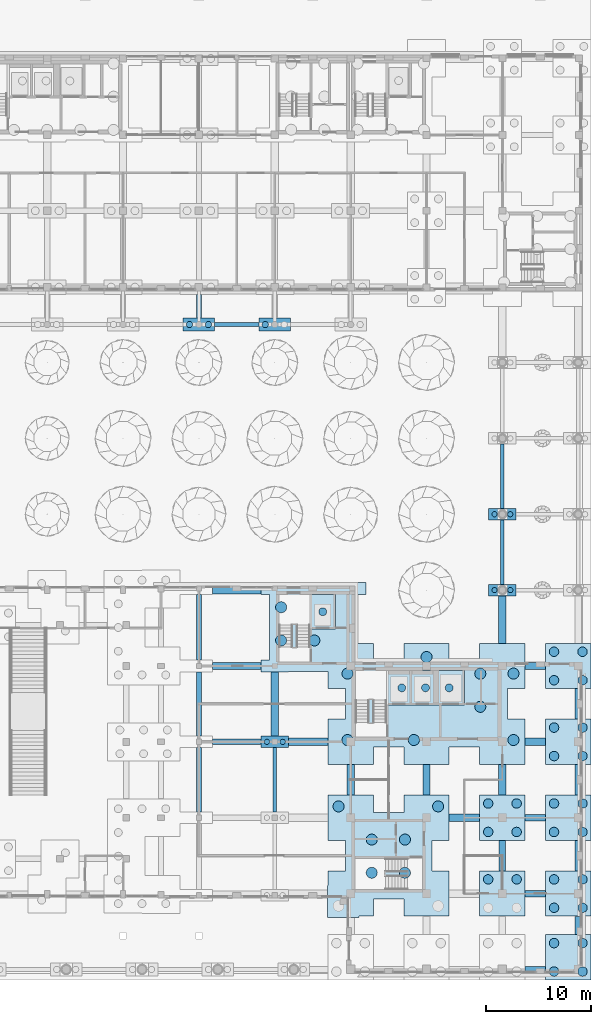
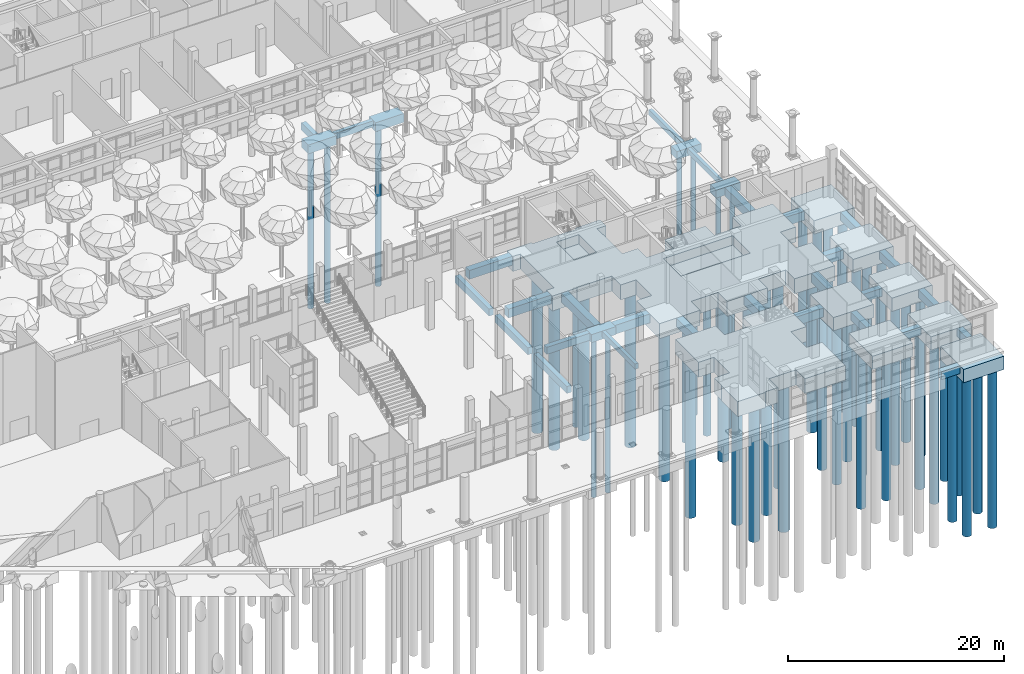
# One storey, part 4 of 80: 56 piles, 44 footings.
"""IFC4 building model written with IfcOpenShell, lengths in metres."""

from ifc_helpers import new_model, si_unit, direction, frame, origin, origin_2d, place, context, subcontext, project, spatial, polyline, rectangle, circle, outline, extrude, material, material_profile, profile_set, type_object, element, save


model = new_model("IFC4")

# Units and contexts
model_context = context("Model", 3, precision=1e-05, world=origin(), true_north=direction((0.0, 1.0)))
body_context = subcontext(model_context, "Body", "Model", "MODEL_VIEW")
ifc_project = project(units=[si_unit("LENGTHUNIT", "METRE"), si_unit("AREAUNIT", "SQUARE_METRE"), si_unit("VOLUMEUNIT", "CUBIC_METRE"), si_unit("PLANEANGLEUNIT", "RADIAN"), si_unit("MASSUNIT", "GRAM", prefix="KILO")], contexts=[model_context])

# Site, building, storey
site_placement = place(None, origin())
site = spatial("IfcSite", under=ifc_project, at=site_placement, CompositionType="ELEMENT")
building_placement = place(site_placement, origin())
building = spatial("IfcBuilding", under=site, at=building_placement, Name="Ussher Court Research Institute", CompositionType="ELEMENT")
storey_placement = place(building_placement, origin())
storey = spatial("IfcBuildingStorey", under=building, at=storey_placement, Name="L00", CompositionType="ELEMENT", Elevation=0.0)

# Piles
ifc_material_1 = material(Name="Concrete C35/45", Category="concrete")
ifc_material_profile_1 = material_profile(ifc_material_1, circle(Radius=0.52490234375, at=origin_2d()), Name="RC D1050")
ifc_profile_set_1 = profile_set([ifc_material_profile_1], Name="Concrete C35/45")
pile_type_1 = type_object("IfcPileType", Name="Bored pile D1050", PredefinedType="BORED", material=ifc_profile_set_1)
for number, where, z_axis, x_axis, name in (
    (1, (75.60009765625, 35.22509765625, -2.10009765625), (0.0, 0.0, -1.0), (1.0, 0.0, 0.0), "P5 088-01"),
    (2, (75.60009765625, 38.375, -2.10009765625), (0.0, 0.0, -1.0), (1.0, 0.0, 0.0), "P5 088-02"),
    (3, (78.75, 35.22509765625, -2.10009765625), (0.0, 0.0, -1.0), (1.0, 0.0, 0.0), "P5 088-03"),
    (4, (81.89990234375, 25.77490234375, -2.10009765625), (0.0, 0.0, -1.0), (1.0, 0.0, 0.0), "P5 088-04"),
    (5, (81.89990234375, 32.074951171875, -2.10009765625), (0.0, 0.0, -1.0), (1.0, 0.0, 0.0), "P5 088-05"),
    (6, (88.199951171875, 25.77490234375, -2.10009765625), (0.0, 0.0, -1.0), (1.0, 0.0, 0.0), "P5 088-06"),
    (7, (94.5, 28.925048828125, -2.10009765625), (0.0, 0.0, -1.0), (1.0, 0.0, 0.0), "P5 088-07"),
    (8, (94.5, 32.074951171875, -2.10009765625), (0.0, 0.0, -1.0), (1.0, 0.0, 0.0), "P5 088-08"),
    (9, (97.64990234375, 25.77490234375, -2.10009765625), (0.0, 0.0, -1.0), (1.0, 0.0, 0.0), "P5 088-09"),
    (10, (97.64990234375, 32.074951171875, -2.10009765625), (0.0, 0.0, -1.0), (1.0, 0.0, 0.0), "P5 088-10"),
    (11, (89.39990234375, 33.64990234375, -2.10009765625), (0.0, 0.0, -1.0), (1.0, 0.0, 0.0), "P5 088-11"),
    (12, (81.050048828125, 19.47509765625, -2.10009765625), (0.0, 0.0, -1.0), (1.0, 0.0, 0.0), "P5 091-02"),
    (13, (84.199951171875, 13.175048828125, -2.10009765625), (0.0, 0.0, -1.0), (1.0, 0.0, 0.0), "P5 091-03"),
    (14, (84.199951171875, 16.324951171875, -2.10009765625), (0.0, 0.0, -1.0), (1.0, 0.0, 0.0), "P5 091-04"),
    (15, (87.35009765625, 13.175048828125, -2.10009765625), (0.0, 0.0, -1.0), (1.0, 0.0, 0.0), "P5 091-05"),
    (16, (87.35009765625, 16.324951171875, -2.10009765625), (0.0, 0.0, -1.0), (1.0, 0.0, 0.0), "P5 091-06"),
    (17, (90.5, 19.47509765625, -2.10009765625), (0.0, 0.0, -1.0), (1.0, 0.0, 0.0), "P5 091-08"),
):
    element("IfcPile", number, at=place(storey_placement, frame(where, z_axis=z_axis, x_axis=x_axis)), inside=storey, type_object=pile_type_1, Name=name, PredefinedType="BORED", context=body_context, shape_type="SweptSolid", body=[
        extrude(circle(Radius=0.52490234375, at=origin_2d()), origin(), (0.0, 0.0, 1.0), 18.0),
    ])
ifc_material_2 = material(Name="Concrete C35/45", Category="concrete")
ifc_material_profile_2 = material_profile(ifc_material_2, circle(Radius=0.25, at=origin_2d()), Name="RC D500")
ifc_profile_set_2 = profile_set([ifc_material_profile_2], Name="Concrete C35/45")
pile_type_2 = type_object("IfcPileType", Name="Bored pile D500", PredefinedType="BORED", material=ifc_profile_set_2)
for number, where, z_axis, x_axis, name in (
    (18, (74.25, 25.60009765625, -1.300048828125), (0.0, 0.0, -1.0), (1.0, 0.0, 0.0), "P4 089-01"),
    (19, (75.75, 25.60009765625, -1.300048828125), (0.0, 0.0, -1.0), (1.0, 0.0, 0.0), "P4 089-02"),
    (20, (95.85009765625, 40.0, -1.300048828125), (0.0, 0.0, -1.0), (1.0, 0.0, 0.0), "P4 105-01"),
    (21, (97.35009765625, 40.0, -1.300048828125), (0.0, 0.0, -1.0), (1.0, 0.0, 0.0), "P4 105-02"),
    (22, (95.85009765625, 47.199951171875, -1.300048828125), (0.0, 0.0, -1.0), (1.0, 0.0, 0.0), "P4 106-01"),
    (23, (97.35009765625, 47.199951171875, -1.300048828125), (0.0, 0.0, -1.0), (1.0, 0.0, 0.0), "P4 106-02"),
):
    element("IfcPile", number, at=place(storey_placement, frame(where, z_axis=z_axis, x_axis=x_axis)), inside=storey, type_object=pile_type_2, Name=name, PredefinedType="BORED", context=body_context, shape_type="SweptSolid", body=[
        extrude(circle(Radius=0.25, at=origin_2d()), origin(), (0.0, 0.0, 1.0), 18.0),
    ])
ifc_material_3 = material(Name="Concrete C35/45", Category="concrete")
ifc_material_profile_3 = material_profile(ifc_material_3, circle(Radius=0.300048828125, at=origin_2d()), Name="RC D600")
ifc_profile_set_3 = profile_set([ifc_material_profile_3], Name="Concrete C35/45")
pile_type_3 = type_object("IfcPileType", Name="Bored pile D600", PredefinedType="BORED", material=ifc_profile_set_3)
for number, where, z_axis, x_axis, name in (
    (24, (66.89990234375, 65.199951171875, -1.39990234375), (0.0, 0.0, -1.0), (1.0, 0.0, 0.0), "P2 080-01"),
    (25, (68.699951171875, 65.199951171875, -1.39990234375), (0.0, 0.0, -1.0), (1.0, 0.0, 0.0), "P2 080-02"),
    (26, (74.10009765625, 65.199951171875, -1.39990234375), (0.0, 0.0, -1.0), (1.0, 0.0, 0.0), "P2 085-01"),
):
    element("IfcPile", number, at=place(storey_placement, frame(where, z_axis=z_axis, x_axis=x_axis)), inside=storey, type_object=pile_type_3, Name=name, PredefinedType="BORED", context=body_context, shape_type="SweptSolid", body=[
        extrude(circle(Radius=0.300048828125, at=origin_2d()), origin(), (0.0, 0.0, 1.0), 18.0),
    ])
ifc_material_4 = material(Name="Concrete C35/45", Category="concrete")
ifc_material_profile_4 = material_profile(ifc_material_4, circle(Radius=0.375, at=origin_2d()), Name="RC D750")
ifc_profile_set_4 = profile_set([ifc_material_profile_4], Name="Concrete C35/45")
pile_type_4 = type_object("IfcPileType", Name="Bored pile D750", PredefinedType="BORED", material=ifc_profile_set_4)
for number, where, z_axis, x_axis, name in (
    (27, (79.550048828125, 37.949951171875, -2.64990234375), (0.0, 0.0, -1.0), (1.0, 0.0, 0.0), "P1 005-01"),
    (28, (87.050048828125, 30.72509765625, -2.64990234375), (0.0, 0.0, -1.0), (1.0, 0.0, 0.0), "P1 007-01"),
    (29, (89.300048828125, 30.72509765625, -2.64990234375), (0.0, 0.0, -1.0), (1.0, 0.0, 0.0), "P1 007-02"),
    (30, (91.550048828125, 30.72509765625, -2.64990234375), (0.0, 0.0, -1.0), (1.0, 0.0, 0.0), "P1 007-03"),
):
    element("IfcPile", number, at=place(storey_placement, frame(where, z_axis=z_axis, x_axis=x_axis)), inside=storey, type_object=pile_type_4, Name=name, PredefinedType="BORED", context=body_context, shape_type="SweptSolid", body=[
        extrude(circle(Radius=0.375, at=origin_2d()), origin(), (0.0, 0.0, 1.0), 18.0),
    ])
ifc_material_5 = material(Name="Concrete C35/45", Category="concrete")
ifc_material_profile_5 = material_profile(ifc_material_5, circle(Radius=0.449951171875, at=origin_2d()), Name="RC D900")
ifc_profile_set_5 = profile_set([ifc_material_profile_5], Name="Concrete C35/45")
pile_type_5 = type_object("IfcPileType", Name="Bored pile D900", PredefinedType="BORED", material=ifc_profile_set_5)
for number, where, z_axis, x_axis, name in (
    (31, (95.25, 12.550048828125, -1.89990234375), (0.0, 0.0, -1.0), (1.0, 0.0, 0.0), "P3 100-02"),
    (32, (97.949951171875, 12.550048828125, -1.89990234375), (0.0, 0.0, -1.0), (1.0, 0.0, 0.0), "P3 100-04"),
    (33, (95.25, 17.050048828125, -1.89990234375), (0.0, 0.0, -1.0), (1.0, 0.0, 0.0), "P3 101-01"),
    (34, (95.25, 19.75, -1.89990234375), (0.0, 0.0, -1.0), (1.0, 0.0, 0.0), "P3 101-02"),
    (35, (97.949951171875, 17.050048828125, -1.89990234375), (0.0, 0.0, -1.0), (1.0, 0.0, 0.0), "P3 101-03"),
    (36, (97.949951171875, 19.75, -1.89990234375), (0.0, 0.0, -1.0), (1.0, 0.0, 0.0), "P3 101-04"),
    (37, (101.5, 3.800048828125, -1.89990234375), (0.0, 0.0, -1.0), (1.0, 0.0, 0.0), "P3 109-01"),
    (38, (101.5, 6.5, -1.89990234375), (0.0, 0.0, -1.0), (1.0, 0.0, 0.0), "P3 109-02"),
    (39, (104.199951171875, 3.800048828125, -1.89990234375), (0.0, 0.0, -1.0), (1.0, 0.0, 0.0), "P3 109-03"),
    (40, (104.199951171875, 6.5, -1.89990234375), (0.0, 0.0, -1.0), (1.0, 0.0, 0.0), "P3 109-04"),
    (41, (101.5, 9.85009765625, -1.89990234375), (0.0, 0.0, -1.0), (1.0, 0.0, 0.0), "P3 110-01"),
    (42, (101.5, 12.550048828125, -1.89990234375), (0.0, 0.0, -1.0), (1.0, 0.0, 0.0), "P3 110-02"),
    (43, (104.199951171875, 9.85009765625, -1.89990234375), (0.0, 0.0, -1.0), (1.0, 0.0, 0.0), "P3 110-03"),
    (44, (104.199951171875, 12.550048828125, -1.89990234375), (0.0, 0.0, -1.0), (1.0, 0.0, 0.0), "P3 110-04"),
    (45, (101.5, 17.050048828125, -1.89990234375), (0.0, 0.0, -1.0), (1.0, 0.0, 0.0), "P3 111-01"),
    (46, (101.5, 19.75, -1.89990234375), (0.0, 0.0, -1.0), (1.0, 0.0, 0.0), "P3 111-02"),
    (47, (104.199951171875, 17.050048828125, -1.89990234375), (0.0, 0.0, -1.0), (1.0, 0.0, 0.0), "P3 111-03"),
    (48, (104.199951171875, 19.75, -1.89990234375), (0.0, 0.0, -1.0), (1.0, 0.0, 0.0), "P3 111-04"),
    (49, (101.5, 24.25, -1.89990234375), (0.0, 0.0, -1.0), (1.0, 0.0, 0.0), "P3 112-01"),
    (50, (101.5, 26.949951171875, -1.89990234375), (0.0, 0.0, -1.0), (1.0, 0.0, 0.0), "P3 112-02"),
    (51, (104.199951171875, 24.25, -1.89990234375), (0.0, 0.0, -1.0), (1.0, 0.0, 0.0), "P3 112-03"),
    (52, (104.199951171875, 26.949951171875, -1.89990234375), (0.0, 0.0, -1.0), (1.0, 0.0, 0.0), "P3 112-04"),
    (53, (101.5, 31.449951171875, -1.89990234375), (0.0, 0.0, -1.0), (1.0, 0.0, 0.0), "P3 113-01"),
    (54, (101.5, 34.14990234375, -1.89990234375), (0.0, 0.0, -1.0), (1.0, 0.0, 0.0), "P3 113-02"),
    (55, (104.199951171875, 31.449951171875, -1.89990234375), (0.0, 0.0, -1.0), (1.0, 0.0, 0.0), "P3 113-03"),
    (56, (104.199951171875, 34.14990234375, -1.89990234375), (0.0, 0.0, -1.0), (1.0, 0.0, 0.0), "P3 113-04"),
):
    element("IfcPile", number, at=place(storey_placement, frame(where, z_axis=z_axis, x_axis=x_axis)), inside=storey, type_object=pile_type_5, Name=name, PredefinedType="BORED", context=body_context, shape_type="SweptSolid", body=[
        extrude(circle(Radius=0.449951171875, at=origin_2d()), origin(), (0.0, 0.0, 1.0), 18.0),
    ])

# Footings
ifc_material_6 = material(Name="Concrete C35/45", Category="concrete")
footing_type_1 = type_object("IfcFootingType", Name="Core raft 11600x11550x1700", PredefinedType="PILE_CAP", material=ifc_material_6)
footing_1_placement = place(storey_placement, frame((0.0, 0.0, -2.25)))
element("IfcFooting", 57, at=footing_1_placement, inside=storey, type_object=footing_type_1, Name="CR17 091", PredefinedType="PILE_CAP", context=body_context, shape_type="SweptSolid", body=[
    extrude(outline(polyline([(80.0, 11.949951171875), (80.0, 8.949951171875), (83.0, 8.949951171875), (83.0, 9.050048828125), (84.35009765625, 9.050048828125), (84.35009765625, 10.699951171875), (87.25, 10.699951171875), (87.25, 9.050048828125), (91.550048828125, 9.050048828125), (91.550048828125, 13.35009765625), (89.89990234375, 13.35009765625), (89.89990234375, 16.25), (91.550048828125, 16.25), (91.550048828125, 20.550048828125), (87.25, 20.550048828125), (87.25, 18.89990234375), (84.35009765625, 18.89990234375), (84.35009765625, 20.550048828125), (80.050048828125, 20.550048828125), (80.050048828125, 16.25), (81.699951171875, 16.25), (81.699951171875, 13.35009765625), (80.050048828125, 13.35009765625), (80.050048828125, 11.949951171875), (80.0, 11.949951171875)])), origin(), (0.0, 0.0, 1.0), 1.699951171875),
])
ifc_material_7 = material(Name="Concrete C35/45", Category="concrete")
footing_type_2 = type_object("IfcFootingType", Name="Core raft 25050x17250x1700", PredefinedType="PILE_CAP", material=ifc_material_7)
footing_2_placement = place(storey_placement, frame((0.0, 0.0, -2.25)))
element("IfcFooting", 58, at=footing_2_placement, inside=storey, type_object=footing_type_2, Name="CR22 088", PredefinedType="PILE_CAP", context=body_context, shape_type="SweptSolid", body=[
    extrude(outline(polyline([(73.699951171875, 33.35009765625), (73.699951171875, 32.25), (76.300048828125, 32.25), (76.300048828125, 32.300048828125), (80.050048828125, 32.300048828125), (80.050048828125, 30.64990234375), (81.699951171875, 30.64990234375), (81.699951171875, 27.75), (80.050048828125, 27.75), (80.050048828125, 23.449951171875), (84.35009765625, 23.449951171875), (84.35009765625, 25.10009765625), (87.25, 25.10009765625), (87.25, 23.449951171875), (91.550048828125, 23.449951171875), (91.550048828125, 25.10009765625), (94.449951171875, 25.10009765625), (94.449951171875, 23.449951171875), (98.75, 23.449951171875), (98.75, 27.75), (97.10009765625, 27.75), (97.10009765625, 30.64990234375), (98.75, 30.64990234375), (98.75, 34.949951171875), (94.449951171875, 34.949951171875), (94.449951171875, 33.300048828125), (91.550048828125, 33.300048828125), (91.550048828125, 34.949951171875), (87.25, 34.949951171875), (87.25, 33.300048828125), (84.35009765625, 33.300048828125), (84.35009765625, 34.949951171875), (82.699951171875, 34.949951171875), (82.699951171875, 39.60009765625), (83.64990234375, 39.60009765625), (83.64990234375, 40.699951171875), (81.050048828125, 40.699951171875), (81.050048828125, 40.5), (76.300048828125, 40.5), (76.300048828125, 40.699951171875), (73.699951171875, 40.699951171875), (73.699951171875, 39.60009765625), (74.5, 39.60009765625), (74.5, 33.35009765625), (73.699951171875, 33.35009765625)]), holes=[polyline([(93.0, 29.10009765625), (85.60009765625, 29.10009765625), (85.60009765625, 32.35009765625), (93.0, 32.35009765625), (93.0, 29.10009765625)]), polyline([(80.75, 36.300048828125), (78.35009765625, 36.300048828125), (78.35009765625, 39.60009765625), (80.75, 39.60009765625), (80.75, 36.300048828125)])]), origin(), (0.0, 0.0, 1.0), 1.699951171875),
])
ifc_material_8 = material(Name="Concrete C35/45", Category="concrete")
footing_type_3 = type_object("IfcFootingType", Name="Core raft 3300x2400x1200", PredefinedType="PILE_CAP", material=ifc_material_8)
footing_3_placement = place(storey_placement, frame((0.0, 0.0, -2.800048828125)))
element("IfcFooting", 59, at=footing_3_placement, inside=storey, type_object=footing_type_3, Name="CR3 005", PredefinedType="PILE_CAP", context=body_context, shape_type="SweptSolid", body=[
    extrude(outline(polyline([(80.75, 36.300048828125), (80.75, 39.60009765625), (78.35009765625, 39.60009765625), (78.35009765625, 36.300048828125), (80.75, 36.300048828125)])), origin(), (0.0, 0.0, 1.0), 1.199951171875),
])
ifc_material_9 = material(Name="Concrete C35/45", Category="concrete")
footing_type_4 = type_object("IfcFootingType", Name="Core raft 7400x3250x1200", PredefinedType="PILE_CAP", material=ifc_material_9)
footing_4_placement = place(storey_placement, frame((0.0, 0.0, -2.800048828125)))
element("IfcFooting", 60, at=footing_4_placement, inside=storey, type_object=footing_type_4, Name="CR10 007", PredefinedType="PILE_CAP", context=body_context, shape_type="SweptSolid", body=[
    extrude(outline(polyline([(93.0, 29.10009765625), (93.0, 32.35009765625), (85.60009765625, 32.35009765625), (85.60009765625, 29.10009765625), (93.0, 29.10009765625)])), origin(), (0.0, 0.0, 1.0), 1.199951171875),
])
ifc_material_10 = material(Name="Concrete C35/45", Category="concrete")
footing_type_5 = type_object("IfcFootingType", Name="Pile cap 2600x1100x900", PredefinedType="PILE_CAP", material=ifc_material_10)
footing_5_placement = place(storey_placement, frame((0.0, 0.0, -1.449951171875)))
element("IfcFooting", 61, at=footing_5_placement, inside=storey, type_object=footing_type_5, Name="PC1 089", PredefinedType="PILE_CAP", context=body_context, shape_type="SweptSolid", body=[
    extrude(outline(polyline([(73.699951171875, 25.050048828125), (76.300048828125, 25.050048828125), (76.300048828125, 26.14990234375), (73.699951171875, 26.14990234375), (73.699951171875, 25.050048828125)])), origin(), (0.0, 0.0, 1.0), 0.89990234375),
])
footing_6_placement = place(storey_placement, frame((0.0, 0.0, -1.449951171875)))
element("IfcFooting", 62, at=footing_6_placement, inside=storey, type_object=footing_type_5, Name="PC1 105", PredefinedType="PILE_CAP", context=body_context, shape_type="SweptSolid", body=[
    extrude(outline(polyline([(95.300048828125, 39.449951171875), (97.89990234375, 39.449951171875), (97.89990234375, 40.550048828125), (95.300048828125, 40.550048828125), (95.300048828125, 39.449951171875)])), origin(), (0.0, 0.0, 1.0), 0.89990234375),
])
footing_7_placement = place(storey_placement, frame((0.0, 0.0, -1.449951171875)))
element("IfcFooting", 63, at=footing_7_placement, inside=storey, type_object=footing_type_5, Name="PC1 106", PredefinedType="PILE_CAP", context=body_context, shape_type="SweptSolid", body=[
    extrude(outline(polyline([(95.300048828125, 46.64990234375), (97.89990234375, 46.64990234375), (97.89990234375, 47.75), (95.300048828125, 47.75), (95.300048828125, 46.64990234375)])), origin(), (0.0, 0.0, 1.0), 0.89990234375),
])
ifc_material_11 = material(Name="Concrete C35/45", Category="concrete")
footing_type_6 = type_object("IfcFootingType", Name="Pile cap 3000x1200x1000", PredefinedType="PILE_CAP", material=ifc_material_11)
footing_8_placement = place(storey_placement, frame((0.0, 0.0, -1.550048828125)))
element("IfcFooting", 64, at=footing_8_placement, inside=storey, type_object=footing_type_6, Name="PC2 080", PredefinedType="PILE_CAP", context=body_context, shape_type="SweptSolid", body=[
    extrude(outline(polyline([(66.300048828125, 64.60009765625), (69.300048828125, 64.60009765625), (69.300048828125, 65.800048828125), (66.300048828125, 65.800048828125), (66.300048828125, 64.60009765625)])), origin(), (0.0, 0.0, 1.0), 1.0),
])
footing_9_placement = place(storey_placement, frame((0.0, 0.0, -1.550048828125)))
element("IfcFooting", 65, at=footing_9_placement, inside=storey, type_object=footing_type_6, Name="PC2 085", PredefinedType="PILE_CAP", context=body_context, shape_type="SweptSolid", body=[
    extrude(outline(polyline([(73.5, 64.60009765625), (76.5, 64.60009765625), (76.5, 65.800048828125), (73.5, 65.800048828125), (73.5, 64.60009765625)])), origin(), (0.0, 0.0, 1.0), 1.0),
])
ifc_material_12 = material(Name="Concrete C35/45", Category="concrete")
footing_type_7 = type_object("IfcFootingType", Name="Pile cap 4300x4300x1500", PredefinedType="PILE_CAP", material=ifc_material_12)
footing_10_placement = place(storey_placement, frame((0.0, 0.0, -2.050048828125)))
element("IfcFooting", 66, at=footing_10_placement, inside=storey, type_object=footing_type_7, Name="PC6 100", PredefinedType="PILE_CAP", context=body_context, shape_type="SweptSolid", body=[
    extrude(outline(polyline([(94.449951171875, 9.050048828125), (98.75, 9.050048828125), (98.75, 13.35009765625), (94.449951171875, 13.35009765625), (94.449951171875, 9.050048828125)])), origin(), (0.0, 0.0, 1.0), 1.5),
])
footing_11_placement = place(storey_placement, frame((0.0, 0.0, -2.050048828125)))
element("IfcFooting", 67, at=footing_11_placement, inside=storey, type_object=footing_type_7, Name="PC6 101", PredefinedType="PILE_CAP", context=body_context, shape_type="SweptSolid", body=[
    extrude(outline(polyline([(94.449951171875, 16.25), (98.75, 16.25), (98.75, 20.550048828125), (94.449951171875, 20.550048828125), (94.449951171875, 16.25)])), origin(), (0.0, 0.0, 1.0), 1.5),
])
footing_12_placement = place(storey_placement, frame((0.0, 0.0, -2.050048828125)))
element("IfcFooting", 68, at=footing_12_placement, inside=storey, type_object=footing_type_7, Name="PC6 109", PredefinedType="PILE_CAP", context=body_context, shape_type="SweptSolid", body=[
    extrude(outline(polyline([(100.699951171875, 3.0), (105.0, 3.0), (105.0, 7.300048828125), (100.699951171875, 7.300048828125), (100.699951171875, 3.0)])), origin(), (0.0, 0.0, 1.0), 1.5),
])
footing_13_placement = place(storey_placement, frame((0.0, 0.0, -2.050048828125)))
element("IfcFooting", 69, at=footing_13_placement, inside=storey, type_object=footing_type_7, Name="PC6 110", PredefinedType="PILE_CAP", context=body_context, shape_type="SweptSolid", body=[
    extrude(outline(polyline([(100.699951171875, 9.050048828125), (105.0, 9.050048828125), (105.0, 13.35009765625), (100.699951171875, 13.35009765625), (100.699951171875, 9.050048828125)])), origin(), (0.0, 0.0, 1.0), 1.5),
])
footing_14_placement = place(storey_placement, frame((0.0, 0.0, -2.050048828125)))
element("IfcFooting", 70, at=footing_14_placement, inside=storey, type_object=footing_type_7, Name="PC6 111", PredefinedType="PILE_CAP", context=body_context, shape_type="SweptSolid", body=[
    extrude(outline(polyline([(100.699951171875, 16.25), (105.0, 16.25), (105.0, 20.550048828125), (100.699951171875, 20.550048828125), (100.699951171875, 16.25)])), origin(), (0.0, 0.0, 1.0), 1.5),
])
footing_15_placement = place(storey_placement, frame((0.0, 0.0, -2.050048828125)))
element("IfcFooting", 71, at=footing_15_placement, inside=storey, type_object=footing_type_7, Name="PC6 112", PredefinedType="PILE_CAP", context=body_context, shape_type="SweptSolid", body=[
    extrude(outline(polyline([(100.699951171875, 23.449951171875), (105.0, 23.449951171875), (105.0, 27.75), (100.699951171875, 27.75), (100.699951171875, 23.449951171875)])), origin(), (0.0, 0.0, 1.0), 1.5),
])
footing_16_placement = place(storey_placement, frame((0.0, 0.0, -2.050048828125)))
element("IfcFooting", 72, at=footing_16_placement, inside=storey, type_object=footing_type_7, Name="PC6 113", PredefinedType="PILE_CAP", context=body_context, shape_type="SweptSolid", body=[
    extrude(outline(polyline([(100.699951171875, 30.64990234375), (105.0, 30.64990234375), (105.0, 34.949951171875), (100.699951171875, 34.949951171875), (100.699951171875, 30.64990234375)])), origin(), (0.0, 0.0, 1.0), 1.5),
])
ifc_material_13 = material(Name="Concrete C35/45", Category="concrete")
ifc_material_profile_6 = material_profile(ifc_material_13, rectangle(XDim=0.35009765625, YDim=0.60009765625, at=origin_2d()), Name="RC 350x600")
ifc_profile_set_6 = profile_set([ifc_material_profile_6], Name="Concrete C35/45")
footing_type_8 = type_object("IfcFootingType", Name="RC 350x600 ground beam", PredefinedType="FOOTING_BEAM", material=ifc_profile_set_6)
footing_17_placement = place(storey_placement, frame((75.0, 18.950927734375, -0.85009765625), z_axis=(0.0, 1.0, 0.0), x_axis=(-1.0, 0.0, 0.0)))
element("IfcFooting", 73, at=footing_17_placement, inside=storey, type_object=footing_type_8, Name="GB4 181", PredefinedType="FOOTING_BEAM", context=body_context, shape_type="SweptSolid", body=[
    extrude(rectangle(XDim=0.35009765625, YDim=0.60009765625, at=origin_2d()), origin(), (0.0, 0.0, 1.0), 6.09814453125),
])
footing_18_placement = place(storey_placement, frame((96.60009765625, 40.551025390625, -0.85009765625), z_axis=(0.0, 1.0, 0.0), x_axis=(-1.0, 0.0, 0.0)))
element("IfcFooting", 74, at=footing_18_placement, inside=storey, type_object=footing_type_8, Name="GB4 199", PredefinedType="FOOTING_BEAM", context=body_context, shape_type="SweptSolid", body=[
    extrude(rectangle(XDim=0.35009765625, YDim=0.60009765625, at=origin_2d()), origin(), (0.0, 0.0, 1.0), 6.097900390625),
])
footing_19_placement = place(storey_placement, frame((96.60009765625, 47.7509765625, -0.85009765625), z_axis=(0.0, 1.0, 0.0), x_axis=(-1.0, 0.0, 0.0)))
element("IfcFooting", 75, at=footing_19_placement, inside=storey, type_object=footing_type_8, Name="GB4 200", PredefinedType="FOOTING_BEAM", context=body_context, shape_type="SweptSolid", body=[
    extrude(rectangle(XDim=0.35009765625, YDim=0.60009765625, at=origin_2d()), origin(), (0.0, 0.0, 1.0), 6.09814453125),
])
ifc_material_14 = material(Name="Concrete C35/45", Category="concrete")
ifc_material_profile_7 = material_profile(ifc_material_14, rectangle(XDim=0.39990234375, YDim=0.699951171875, at=origin_2d()), Name="RC 400x700")
ifc_profile_set_7 = profile_set([ifc_material_profile_7], Name="Concrete C35/45")
footing_type_9 = type_object("IfcFootingType", Name="RC 400x700 ground beam", PredefinedType="FOOTING_BEAM", material=ifc_profile_set_7)
footing_20_placement = place(storey_placement, frame((69.301025390625, 65.199951171875, -0.89990234375), z_axis=(1.0, 0.0, 0.0), x_axis=(0.0, 1.0, 0.0)))
element("IfcFooting", 76, at=footing_20_placement, inside=storey, type_object=footing_type_9, Name="GB2 069", PredefinedType="FOOTING_BEAM", context=body_context, shape_type="SweptSolid", body=[
    extrude(rectangle(XDim=0.39990234375, YDim=0.699951171875, at=origin_2d()), origin(), (0.0, 0.0, 1.0), 4.197998046875),
])
ifc_material_15 = material(Name="Concrete C35/45", Category="concrete")
ifc_material_profile_8 = material_profile(ifc_material_15, rectangle(XDim=0.5, YDim=0.800048828125, at=origin_2d()), Name="RC 500x800")
ifc_profile_set_8 = profile_set([ifc_material_profile_8], Name="Concrete C35/45")
footing_type_10 = type_object("IfcFootingType", Name="RC 500x800 ground beam", PredefinedType="FOOTING_BEAM", material=ifc_profile_set_8)
footing_21_placement = place(storey_placement, frame((69.10107421875, 25.60009765625, -0.949951171875), z_axis=(1.0, 0.0, 0.0), x_axis=(0.0, 1.0, 0.0)))
element("IfcFooting", 77, at=footing_21_placement, inside=storey, type_object=footing_type_10, Name="GB1 039", PredefinedType="FOOTING_BEAM", context=body_context, shape_type="SweptSolid", body=[
    extrude(rectangle(XDim=0.5, YDim=0.800048828125, at=origin_2d()), origin(), (0.0, 0.0, 1.0), 4.597900390625),
])
for number, where, z_axis, x_axis, name in (
    (78, (67.800048828125, 18.950927734375, -0.949951171875), (0.0, 1.0, 0.0), (-1.0, 0.0, 0.0), "GB1 173"),
    (79, (67.800048828125, 26.15087890625, -0.949951171875), (0.0, 1.0, 0.0), (-1.0, 0.0, 0.0), "GB1 174"),
):
    element("IfcFooting", number, at=place(storey_placement, frame(where, z_axis=z_axis, x_axis=x_axis)), inside=storey, type_object=footing_type_10, Name=name, PredefinedType="FOOTING_BEAM", context=body_context, shape_type="SweptSolid", body=[
        extrude(rectangle(XDim=0.5, YDim=0.800048828125, at=origin_2d()), origin(), (0.0, 0.0, 1.0), 6.09814453125),
    ])
footing_22_placement = place(storey_placement, frame((67.800048828125, 33.35107421875, -0.949951171875), z_axis=(0.0, 1.0, 0.0), x_axis=(-1.0, 0.0, 0.0)))
element("IfcFooting", 80, at=footing_22_placement, inside=storey, type_object=footing_type_10, Name="GB1 175", PredefinedType="FOOTING_BEAM", context=body_context, shape_type="SweptSolid", body=[
    extrude(rectangle(XDim=0.5, YDim=0.800048828125, at=origin_2d()), origin(), (0.0, 0.0, 1.0), 6.248046875),
])
footing_23_placement = place(storey_placement, frame((67.800048828125, 65.801025390625, -0.949951171875), z_axis=(0.0, 1.0, 0.0), x_axis=(-1.0, 0.0, 0.0)))
element("IfcFooting", 81, at=footing_23_placement, inside=storey, type_object=footing_type_10, Name="GB1 176", PredefinedType="FOOTING_BEAM", context=body_context, shape_type="SweptSolid", body=[
    extrude(rectangle(XDim=0.5, YDim=0.800048828125, at=origin_2d()), origin(), (0.0, 0.0, 1.0), 2.27294921875),
])
ifc_material_16 = material(Name="Concrete C35/45", Category="concrete")
ifc_material_profile_9 = material_profile(ifc_material_16, rectangle(XDim=0.60009765625, YDim=0.89990234375, at=origin_2d()), Name="RC 600x900")
ifc_profile_set_9 = profile_set([ifc_material_profile_9], Name="Concrete C35/45")
footing_type_11 = type_object("IfcFootingType", Name="RC 600x900 ground beam", PredefinedType="FOOTING_BEAM", material=ifc_profile_set_9)
for number, where, z_axis, x_axis, name in (
    (82, (98.7509765625, 4.0, -1.0), (1.0, 0.0, 0.0), (0.0, 1.0, 0.0), "GB3 013"),
    (83, (98.7509765625, 11.199951171875, -1.0), (1.0, 0.0, 0.0), (0.0, 1.0, 0.0), "GB3 024"),
    (84, (98.7509765625, 18.39990234375, -1.0), (1.0, 0.0, 0.0), (0.0, 1.0, 0.0), "GB3 036"),
):
    element("IfcFooting", number, at=place(storey_placement, frame(where, z_axis=z_axis, x_axis=x_axis)), inside=storey, type_object=footing_type_11, Name=name, PredefinedType="FOOTING_BEAM", context=body_context, shape_type="SweptSolid", body=[
        extrude(rectangle(XDim=0.60009765625, YDim=0.89990234375, at=origin_2d()), origin(), (0.0, 0.0, 1.0), 1.947998046875),
    ])
footing_24_placement = place(storey_placement, frame((96.60009765625, 13.35107421875, -1.0), z_axis=(0.0, 1.0, 0.0), x_axis=(-1.0, 0.0, 0.0)))
element("IfcFooting", 85, at=footing_24_placement, inside=storey, type_object=footing_type_11, Name="GB3 196", PredefinedType="FOOTING_BEAM", context=body_context, shape_type="SweptSolid", body=[
    extrude(rectangle(XDim=0.60009765625, YDim=0.89990234375, at=origin_2d()), origin(), (0.0, 0.0, 1.0), 2.89794921875),
])
footing_25_placement = place(storey_placement, frame((103.800048828125, 7.301025390625, -1.0), z_axis=(0.0, 1.0, 0.0), x_axis=(-1.0, 0.0, 0.0)))
element("IfcFooting", 86, at=footing_25_placement, inside=storey, type_object=footing_type_11, Name="GB3 205", PredefinedType="FOOTING_BEAM", context=body_context, shape_type="SweptSolid", body=[
    extrude(rectangle(XDim=0.60009765625, YDim=0.89990234375, at=origin_2d()), origin(), (0.0, 0.0, 1.0), 1.748046875),
])
for number, where, z_axis, x_axis, name in (
    (87, (103.800048828125, 13.35107421875, -1.0), (0.0, 1.0, 0.0), (-1.0, 0.0, 0.0), "GB3 206"),
    (88, (103.800048828125, 20.551025390625, -1.0), (0.0, 1.0, 0.0), (-1.0, 0.0, 0.0), "GB3 207"),
    (89, (103.800048828125, 27.7509765625, -1.0), (0.0, 1.0, 0.0), (-1.0, 0.0, 0.0), "GB3 208"),
):
    element("IfcFooting", number, at=place(storey_placement, frame(where, z_axis=z_axis, x_axis=x_axis)), inside=storey, type_object=footing_type_11, Name=name, PredefinedType="FOOTING_BEAM", context=body_context, shape_type="SweptSolid", body=[
        extrude(rectangle(XDim=0.60009765625, YDim=0.89990234375, at=origin_2d()), origin(), (0.0, 0.0, 1.0), 2.89794921875),
    ])
ifc_material_17 = material(Name="Concrete C35/45", Category="concrete")
ifc_material_profile_10 = material_profile(ifc_material_17, rectangle(XDim=0.699951171875, YDim=1.0, at=origin_2d()), Name="RC 700x1000")
ifc_profile_set_10 = profile_set([ifc_material_profile_10], Name="Concrete C35/45")
footing_type_12 = type_object("IfcFootingType", Name="RC 700x1000 ground beam", PredefinedType="FOOTING_BEAM", material=ifc_profile_set_10)
footing_26_placement = place(storey_placement, frame((91.551025390625, 18.39990234375, -1.050048828125), z_axis=(1.0, 0.0, 0.0), x_axis=(0.0, 1.0, 0.0)))
element("IfcFooting", 90, at=footing_26_placement, inside=storey, type_object=footing_type_12, Name="GB5 035", PredefinedType="FOOTING_BEAM", context=body_context, shape_type="SweptSolid", body=[
    extrude(rectangle(XDim=0.699951171875, YDim=1.0, at=origin_2d()), origin(), (0.0, 0.0, 1.0), 2.89794921875),
])
footing_27_placement = place(storey_placement, frame((76.301025390625, 25.60009765625, -1.050048828125), z_axis=(1.0, 0.0, 0.0), x_axis=(0.0, 1.0, 0.0)))
element("IfcFooting", 91, at=footing_27_placement, inside=storey, type_object=footing_type_12, Name="GB5 040", PredefinedType="FOOTING_BEAM", context=body_context, shape_type="SweptSolid", body=[
    extrude(rectangle(XDim=0.699951171875, YDim=1.0, at=origin_2d()), origin(), (0.0, 0.0, 1.0), 3.748046875),
])
footing_28_placement = place(storey_placement, frame((98.7509765625, 25.60009765625, -1.050048828125), z_axis=(1.0, 0.0, 0.0), x_axis=(0.0, 1.0, 0.0)))
element("IfcFooting", 92, at=footing_28_placement, inside=storey, type_object=footing_type_12, Name="GB5 041", PredefinedType="FOOTING_BEAM", context=body_context, shape_type="SweptSolid", body=[
    extrude(rectangle(XDim=0.699951171875, YDim=1.0, at=origin_2d()), origin(), (0.0, 0.0, 1.0), 1.947998046875),
])
footing_29_placement = place(storey_placement, frame((69.10107421875, 32.800048828125, -1.050048828125), z_axis=(1.0, 0.0, 0.0), x_axis=(0.0, 1.0, 0.0)))
element("IfcFooting", 93, at=footing_29_placement, inside=storey, type_object=footing_type_12, Name="GB5 043", PredefinedType="FOOTING_BEAM", context=body_context, shape_type="SweptSolid", body=[
    extrude(rectangle(XDim=0.699951171875, YDim=1.0, at=origin_2d()), origin(), (0.0, 0.0, 1.0), 4.597900390625),
])
footing_30_placement = place(storey_placement, frame((98.7509765625, 32.800048828125, -1.050048828125), z_axis=(1.0, 0.0, 0.0), x_axis=(0.0, 1.0, 0.0)))
element("IfcFooting", 94, at=footing_30_placement, inside=storey, type_object=footing_type_12, Name="GB5 044", PredefinedType="FOOTING_BEAM", context=body_context, shape_type="SweptSolid", body=[
    extrude(rectangle(XDim=0.699951171875, YDim=1.0, at=origin_2d()), origin(), (0.0, 0.0, 1.0), 1.947998046875),
])
footing_31_placement = place(storey_placement, frame((69.10107421875, 40.0, -1.050048828125), z_axis=(1.0, 0.0, 0.0), x_axis=(0.0, 1.0, 0.0)))
element("IfcFooting", 95, at=footing_31_placement, inside=storey, type_object=footing_type_12, Name="GB5 055", PredefinedType="FOOTING_BEAM", context=body_context, shape_type="SweptSolid", body=[
    extrude(rectangle(XDim=0.699951171875, YDim=1.0, at=origin_2d()), origin(), (0.0, 0.0, 1.0), 4.597900390625),
])
footing_32_placement = place(storey_placement, frame((75.0, 26.15087890625, -1.050048828125), z_axis=(0.0, 1.0, 0.0), x_axis=(-1.0, 0.0, 0.0)))
element("IfcFooting", 96, at=footing_32_placement, inside=storey, type_object=footing_type_12, Name="GB5 182", PredefinedType="FOOTING_BEAM", context=body_context, shape_type="SweptSolid", body=[
    extrude(rectangle(XDim=0.699951171875, YDim=1.0, at=origin_2d()), origin(), (0.0, 0.0, 1.0), 6.09814453125),
])
for number, where, z_axis, x_axis, name in (
    (97, (82.199951171875, 20.551025390625, -1.050048828125), (0.0, 1.0, 0.0), (-1.0, 0.0, 0.0), "GB5 187"),
    (98, (89.39990234375, 20.551025390625, -1.050048828125), (0.0, 1.0, 0.0), (-1.0, 0.0, 0.0), "GB5 192"),
    (99, (96.60009765625, 20.551025390625, -1.050048828125), (0.0, 1.0, 0.0), (-1.0, 0.0, 0.0), "GB5 197"),
):
    element("IfcFooting", number, at=place(storey_placement, frame(where, z_axis=z_axis, x_axis=x_axis)), inside=storey, type_object=footing_type_12, Name=name, PredefinedType="FOOTING_BEAM", context=body_context, shape_type="SweptSolid", body=[
        extrude(rectangle(XDim=0.699951171875, YDim=1.0, at=origin_2d()), origin(), (0.0, 0.0, 1.0), 2.89794921875),
    ])
footing_33_placement = place(storey_placement, frame((96.60009765625, 34.950927734375, -1.050048828125), z_axis=(0.0, 1.0, 0.0), x_axis=(-1.0, 0.0, 0.0)))
element("IfcFooting", 100, at=footing_33_placement, inside=storey, type_object=footing_type_12, Name="GB5 198", PredefinedType="FOOTING_BEAM", context=body_context, shape_type="SweptSolid", body=[
    extrude(rectangle(XDim=0.699951171875, YDim=1.0, at=origin_2d()), origin(), (0.0, 0.0, 1.0), 4.498046875),
])

save(model, "model.ifc")
